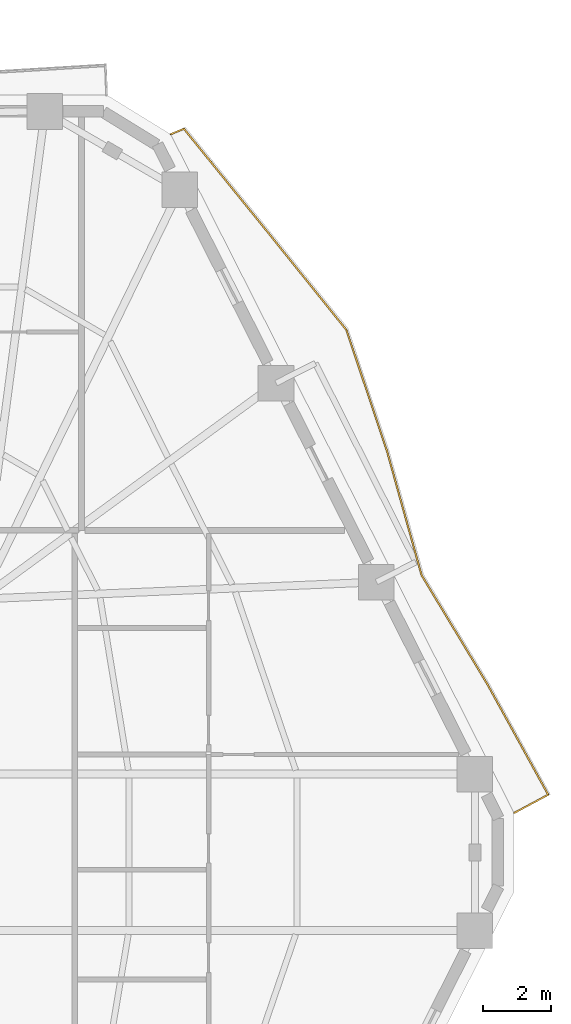
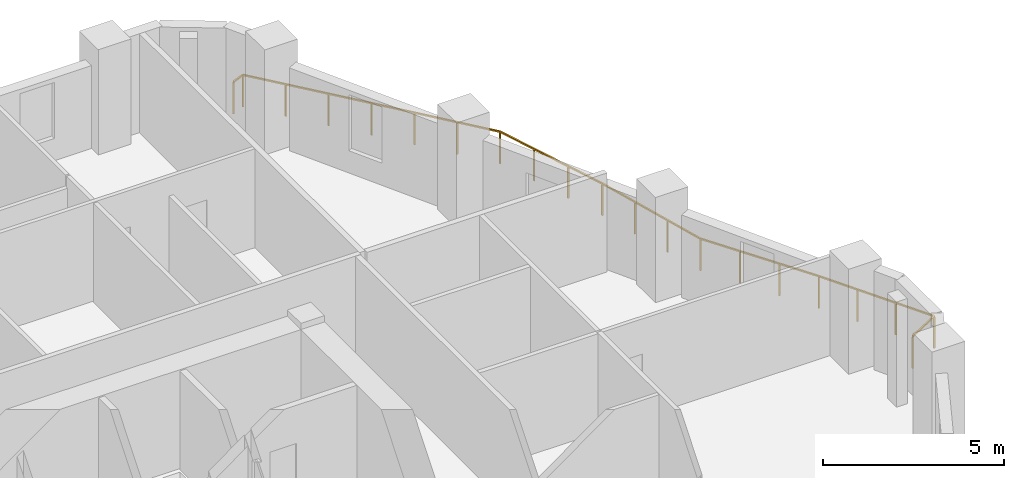
# One storey, part 11 of 11: 1 railing.
"""IFC4 building model written with IfcOpenShell, lengths in metres."""

from ifc_helpers import new_model, si_unit, direction, frame, origin, origin_2d, place, context, subcontext, project, spatial, rectangle, extrude, material, type_object, element, save


model = new_model("IFC4")

# Units and contexts
model_context = context("Model", 3, precision=1e-05, world=origin(), true_north=direction((0.0, 1.0)))
body_context = subcontext(model_context, "Body", "Model", "MODEL_VIEW")
ifc_project = project(units=[si_unit("LENGTHUNIT", "METRE"), si_unit("AREAUNIT", "SQUARE_METRE"), si_unit("VOLUMEUNIT", "CUBIC_METRE"), si_unit("PLANEANGLEUNIT", "RADIAN"), si_unit("MASSUNIT", "GRAM", prefix="KILO")], contexts=[model_context])

# Site, building, storey
site_placement = place(None, origin())
site = spatial("IfcSite", under=ifc_project, at=site_placement, CompositionType="ELEMENT")
building_placement = place(site_placement, origin())
building = spatial("IfcBuilding", under=site, at=building_placement, Name="Cinnabar Lancet Tower", CompositionType="ELEMENT")
storey_placement = place(building_placement, frame((0.0, 0.0, 130.35009765625)))
storey = spatial("IfcBuildingStorey", under=building, at=storey_placement, Name="L34", CompositionType="ELEMENT", Elevation=130.35009765625)

# Railing
ifc_material = material(Name="Laminated safety glass and bronze stainless steel balustrade", Category="steel")
railing_type = type_object("IfcRailingType", Name="ENV-RLG-BAL-1100", PredefinedType="BALUSTRADE", material=ifc_material)
railing_placement = place(storey_placement, frame((57.512939453125, 26.9599609375, 0.0)))
element("IfcRailing", 1, at=railing_placement, inside=storey, type_object=railing_type, Name="L34 Face 3 Wave Balcony Balustrade", PredefinedType="BALUSTRADE", context=body_context, shape_type="SweptSolid", body=[
    extrude(rectangle(XDim=0.048095703125, YDim=0.048095703125, at=origin_2d()), frame((0.0, 0.0, 1.076171875), z_axis=(0.881286154222, 0.472583023791, 0.0), x_axis=(-0.472583023791, 0.881286154222, 0.0)), (0.0, 0.0, 1.0), 1.142822265625),
    extrude(rectangle(XDim=0.048095703125, YDim=0.048095703125, at=origin_2d()), frame((1.007080078125, 0.5400390625, 1.076171875), z_axis=(-0.482214819966, 0.876053004906, 0.0), x_axis=(-0.876053004906, -0.482214819966, 0.0)), (0.0, 0.0, 1.0), 3.73486328125),
    extrude(rectangle(XDim=0.048095703125, YDim=0.048095703125, at=origin_2d()), frame((-0.7939453125, 3.81201171875, 1.076171875), z_axis=(-0.516892556022, 0.856050282127, 0.0), x_axis=(-0.856050282127, -0.516892556022, 0.0)), (0.0, 0.0, 1.0), 3.74169921875),
    extrude(rectangle(XDim=0.048095703125, YDim=0.048095703125, at=origin_2d()), frame((-2.72802734375, 7.01513671875, 1.076171875), z_axis=(-0.268441638049, 0.963295949832, 0.0), x_axis=(-0.963295949832, -0.268441638049, 0.0)), (0.0, 0.0, 1.0), 3.803466796875),
    extrude(rectangle(XDim=0.048095703125, YDim=0.048095703125, at=origin_2d()), frame((-3.7490234375, 10.678955078125, 1.076171875), z_axis=(-0.317723073627, 0.948183552107, 0.0), x_axis=(-0.948183552107, -0.317723073627, 0.0)), (0.0, 0.0, 1.0), 3.7705078125),
    extrude(rectangle(XDim=0.048095703125, YDim=0.048095703125, at=origin_2d()), frame((-4.947021484375, 14.254150390625, 1.076171875), z_axis=(-0.626823696845, 0.779161121382, 0.0), x_axis=(-0.779161121382, -0.626823696845, 0.0)), (0.0, 0.0, 1.0), 3.814208984375),
    extrude(rectangle(XDim=0.048095703125, YDim=0.048095703125, at=origin_2d()), frame((-7.337890625, 17.22607421875, 1.076171875), z_axis=(-0.629976094184, 0.776614525203, 0.0), x_axis=(-0.776614525203, -0.629976094184, 0.0)), (0.0, 0.0, 1.0), 3.817626953125),
    extrude(rectangle(XDim=0.048095703125, YDim=0.048095703125, at=origin_2d()), frame((-9.742919921875, 20.19091796875, 1.076171875), z_axis=(-0.924809554844, -0.380430397405, 0.0), x_axis=(0.380430397405, -0.924809554844, 0.0)), (0.0, 0.0, 1.0), 0.4228515625),
    extrude(rectangle(XDim=0.0419921875, YDim=0.0419921875, at=origin_2d()), origin(), (0.0, 0.0, 1.0), 1.052001953125),
    extrude(rectangle(XDim=0.0419921875, YDim=0.0419921875, at=origin_2d()), frame((1.007080078125, 0.5400390625, 0.0)), (0.0, 0.0, 1.0), 1.052001953125),
    extrude(rectangle(XDim=0.0419921875, YDim=0.0419921875, at=origin_2d()), frame((0.40673828125, 1.630615234375, 0.0)), (0.0, 0.0, 1.0), 1.052001953125),
    extrude(rectangle(XDim=0.0419921875, YDim=0.0419921875, at=origin_2d()), frame((-0.193603515625, 2.721435546875, 0.0)), (0.0, 0.0, 1.0), 1.052001953125),
    extrude(rectangle(XDim=0.0419921875, YDim=0.0419921875, at=origin_2d()), frame((-0.7939453125, 3.81201171875, 0.0)), (0.0, 0.0, 1.0), 1.052001953125),
    extrude(rectangle(XDim=0.0419921875, YDim=0.0419921875, at=origin_2d()), frame((-1.438720703125, 4.879638671875, 0.0)), (0.0, 0.0, 1.0), 1.052001953125),
    extrude(rectangle(XDim=0.0419921875, YDim=0.0419921875, at=origin_2d()), frame((-2.083251953125, 5.947509765625, 0.0)), (0.0, 0.0, 1.0), 1.052001953125),
    extrude(rectangle(XDim=0.0419921875, YDim=0.0419921875, at=origin_2d()), frame((-2.72802734375, 7.01513671875, 0.0)), (0.0, 0.0, 1.0), 1.052001953125),
    extrude(rectangle(XDim=0.0419921875, YDim=0.0419921875, at=origin_2d()), frame((-3.068359375, 8.236328125, 0.0)), (0.0, 0.0, 1.0), 1.052001953125),
    extrude(rectangle(XDim=0.0419921875, YDim=0.0419921875, at=origin_2d()), frame((-3.40869140625, 9.457763671875, 0.0)), (0.0, 0.0, 1.0), 1.052001953125),
    extrude(rectangle(XDim=0.0419921875, YDim=0.0419921875, at=origin_2d()), frame((-3.7490234375, 10.678955078125, 0.0)), (0.0, 0.0, 1.0), 1.052001953125),
    extrude(rectangle(XDim=0.0419921875, YDim=0.0419921875, at=origin_2d()), frame((-4.1484375, 11.87060546875, 0.0)), (0.0, 0.0, 1.0), 1.052001953125),
    extrude(rectangle(XDim=0.0419921875, YDim=0.0419921875, at=origin_2d()), frame((-4.547607421875, 13.0625, 0.0)), (0.0, 0.0, 1.0), 1.052001953125),
    extrude(rectangle(XDim=0.0419921875, YDim=0.0419921875, at=origin_2d()), frame((-4.947021484375, 14.254150390625, 0.0)), (0.0, 0.0, 1.0), 1.052001953125),
    extrude(rectangle(XDim=0.0419921875, YDim=0.0419921875, at=origin_2d()), frame((-5.743896484375, 15.244873046875, 0.0)), (0.0, 0.0, 1.0), 1.052001953125),
    extrude(rectangle(XDim=0.0419921875, YDim=0.0419921875, at=origin_2d()), frame((-6.541015625, 16.2353515625, 0.0)), (0.0, 0.0, 1.0), 1.052001953125),
    extrude(rectangle(XDim=0.0419921875, YDim=0.0419921875, at=origin_2d()), frame((-7.337890625, 17.22607421875, 0.0)), (0.0, 0.0, 1.0), 1.052001953125),
    extrude(rectangle(XDim=0.0419921875, YDim=0.0419921875, at=origin_2d()), frame((-8.1396484375, 18.21435546875, 0.0)), (0.0, 0.0, 1.0), 1.052001953125),
    extrude(rectangle(XDim=0.0419921875, YDim=0.0419921875, at=origin_2d()), frame((-8.941162109375, 19.20263671875, 0.0)), (0.0, 0.0, 1.0), 1.052001953125),
    extrude(rectangle(XDim=0.0419921875, YDim=0.0419921875, at=origin_2d()), frame((-9.742919921875, 20.19091796875, 0.0)), (0.0, 0.0, 1.0), 1.052001953125),
    extrude(rectangle(XDim=0.0419921875, YDim=0.0419921875, at=origin_2d()), frame((-10.134033203125, 20.030029296875, 0.0)), (0.0, 0.0, 1.0), 1.052001953125),
])

save(model, "model.ifc")
